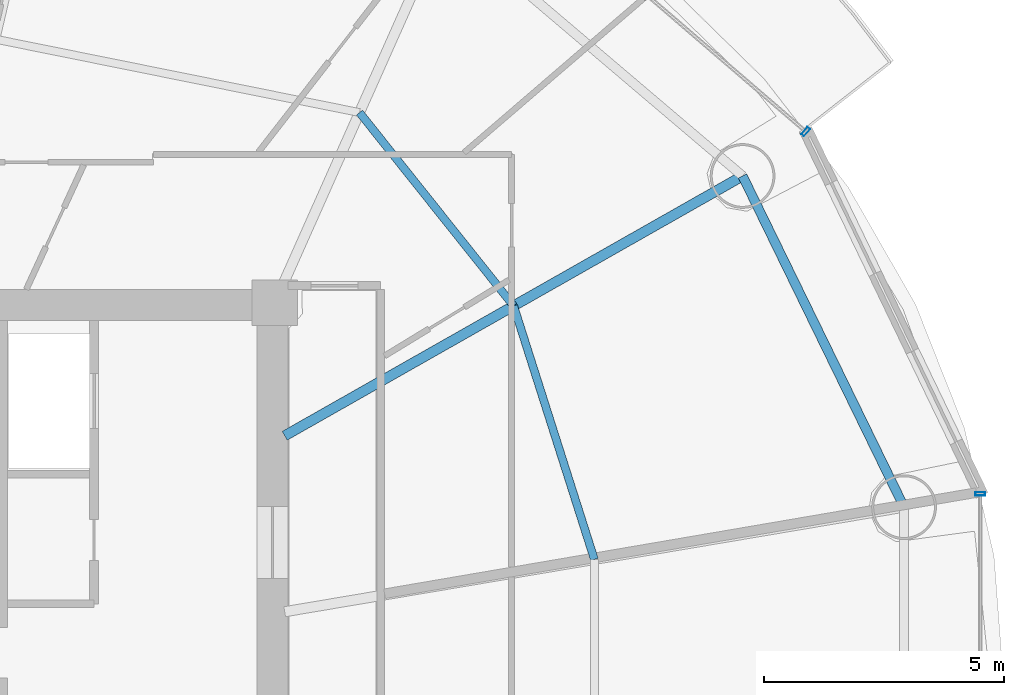
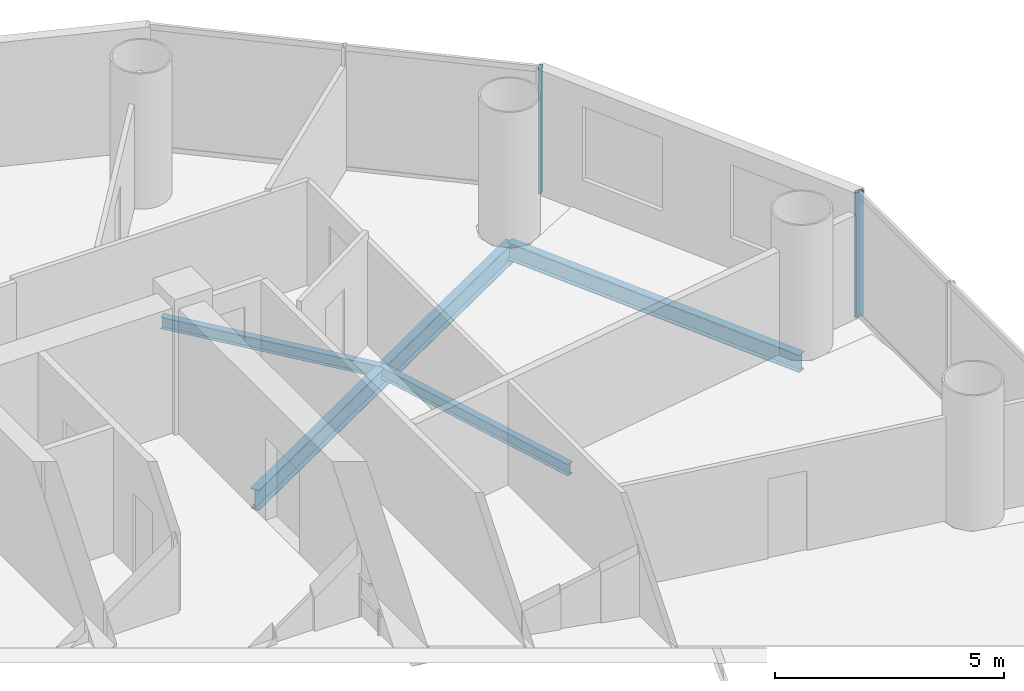
# One storey, part 13 of 26: 4 beams, 2 members, 2 elements without a shape of their own.
"""IFC4 building model written with IfcOpenShell, lengths in metres."""

from ifc_helpers import new_model, si_unit, direction, frame, origin, origin_2d, place, context, subcontext, project, spatial, hollow_rectangle, i_section, extrude, source, transform, mapped, material, material_profile, profile_set, type_object, element, aggregate, save


model = new_model("IFC4")

# Units and contexts
model_context = context("Model", 3, precision=1e-05, world=origin(), true_north=direction((-0.2419218956, 0.970295726276)))
body_context = subcontext(model_context, "Body", "Model", "MODEL_VIEW")
ifc_project = project(units=[si_unit("LENGTHUNIT", "METRE"), si_unit("AREAUNIT", "SQUARE_METRE"), si_unit("VOLUMEUNIT", "CUBIC_METRE"), si_unit("PLANEANGLEUNIT", "RADIAN"), si_unit("MASSUNIT", "GRAM", prefix="KILO")], contexts=[model_context])

# Site, building, storey
site_placement = place(None, origin())
site = spatial("IfcSite", under=ifc_project, at=site_placement, CompositionType="ELEMENT")
building_placement = place(site_placement, origin())
building = spatial("IfcBuilding", under=site, at=building_placement, Name="Cobrevalo Terracotta Tower", CompositionType="ELEMENT")
storey_placement = place(building_placement, frame((0.0, 0.0, 139.0)))
storey = spatial("IfcBuildingStorey", under=building, at=storey_placement, Name="L36", CompositionType="ELEMENT", Elevation=139.0)

# Beams
ifc_material_1 = material(Name="Steel S355", Category="steel")
ifc_material_profile_1 = material_profile(ifc_material_1, i_section(OverallWidth=0.2109375, OverallDepth=0.5390625, WebThickness=0.01171875, FlangeThickness=0.018798828125, at=origin_2d()), Name="W 530x109")
ifc_profile_set_1 = profile_set([ifc_material_profile_1], Name="Steel S355")
beam_type_1 = type_object("IfcBeamType", Name="Structural Beam W 530x109 (Steel S355)", PredefinedType="BEAM", material=ifc_profile_set_1)
beam_1_placement = place(storey_placement, frame((56.749755859375, 37.439208984375, -0.53955078125), z_axis=(-0.869734177783, -0.493520475762, 0.0), x_axis=(0.493520475762, -0.869734177783, 0.0)))
element("IfcBeam", 1, at=beam_1_placement, inside=storey, type_object=beam_type_1, Name="L36 radial floor girder 02", PredefinedType="BEAM", context=body_context, shape_type="SweptSolid", body=[
    extrude(i_section(OverallWidth=0.2109375, OverallDepth=0.5390625, WebThickness=0.01171875, FlangeThickness=0.018798828125, at=origin_2d()), origin(), (0.0, 0.0, 1.0), 10.974365234375),
])
ifc_material_profile_2 = material_profile(ifc_material_1, i_section(OverallWidth=0.1650390625, OverallDepth=0.31005859375, WebThickness=0.005859375, FlangeThickness=0.009765625, at=origin_2d()), Name="W 310x38.7")
ifc_profile_set_2 = profile_set([ifc_material_profile_2], Name="Steel S355")
beam_type_2 = type_object("IfcBeamType", Name="Structural Joist W 310x38.7 (Steel S355)", PredefinedType="JOIST", material=ifc_profile_set_2)
beam_2_placement = place(storey_placement, frame((53.660888671875, 29.445556640625, -0.425048828125), z_axis=(-0.303497928386, 0.952832098255, 0.0), x_axis=(-0.952832098255, -0.303497928386, 0.0)))
element("IfcBeam", 2, at=beam_2_placement, inside=storey, type_object=beam_type_2, Name="L36 circumferential secondary floor joist 01", PredefinedType="JOIST", context=body_context, shape_type="SweptSolid", body=[
    extrude(i_section(OverallWidth=0.1650390625, OverallDepth=0.31005859375, WebThickness=0.005859375, FlangeThickness=0.009765625, at=origin_2d()), origin(), (0.0, 0.0, 1.0), 5.54736328125),
])
beam_3_placement = place(storey_placement, frame((51.977294921875, 34.731201171875, -0.425048828125), z_axis=(-0.62340602772, 0.781898282773, 0.0), x_axis=(-0.781898282773, -0.62340602772, 0.0)))
element("IfcBeam", 3, at=beam_3_placement, inside=storey, type_object=beam_type_2, Name="L36 circumferential secondary floor joist 02", PredefinedType="JOIST", context=body_context, shape_type="SweptSolid", body=[
    extrude(i_section(OverallWidth=0.1650390625, OverallDepth=0.31005859375, WebThickness=0.005859375, FlangeThickness=0.009765625, at=origin_2d()), origin(), (0.0, 0.0, 1.0), 5.154052734375),
])
ifc_material_profile_3 = material_profile(ifc_material_1, i_section(OverallWidth=0.194091796875, OverallDepth=0.468994140625, WebThickness=0.011474609375, FlangeThickness=0.0205078125, at=origin_2d()), Name="W 460x106")
ifc_profile_set_3 = profile_set([ifc_material_profile_3], Name="Steel S355")
beam_type_3 = type_object("IfcBeamType", Name="Structural Spandrel W 460x106 (Steel S355)", PredefinedType="SPANDREL", material=ifc_profile_set_3)
beam_4_placement = place(storey_placement, frame((60.11669921875, 30.535888671875, -0.50439453125), z_axis=(-0.438367894028, 0.89879563277, 0.0), x_axis=(-0.89879563277, -0.438367894028, 0.0)))
element("IfcBeam", 4, at=beam_4_placement, inside=storey, type_object=beam_type_3, Name="L36 perimeter ring spandrel 01", PredefinedType="SPANDREL", context=body_context, shape_type="SweptSolid", body=[
    extrude(i_section(OverallWidth=0.194091796875, OverallDepth=0.468994140625, WebThickness=0.011474609375, FlangeThickness=0.0205078125, at=origin_2d()), origin(), (0.0, 0.0, 1.0), 7.6806640625),
])

# Curtain wall, member
ifc_material_2 = material(Name="Anodized aluminium", Category="aluminium")
curtain_wall_type = type_object("IfcCurtainWallType", Name="Mid-tower high-wind unitised curtain wall CW-U2", PredefinedType="NOTDEFINED", material=ifc_material_2)
curtain_wall_1_placement = place(storey_placement, origin())
curtain_wall_1 = element("IfcCurtainWall", 5, at=curtain_wall_1_placement, inside=storey, type_object=curtain_wall_type, Name="L36 curtain wall CW-L36-S02", PredefinedType="NOTDEFINED")
ifc_material_profile_4 = material_profile(ifc_material_2, hollow_rectangle(XDim=0.074951171875, YDim=0.199951171875, WallThickness=0.0048828125, at=origin_2d()), Name="CWM 75x200")
ifc_profile_set_4 = profile_set([ifc_material_profile_4], Name="Anodized aluminium")
member_type = type_object("IfcMemberType", Name="Lower/mid tower unitised mullion 75x200", PredefinedType="MULLION", material=ifc_profile_set_4)
shared_shape = source(origin(), body_context, "Body", "SweptSolid", [
    extrude(hollow_rectangle(XDim=0.074951171875, YDim=0.199951171875, WallThickness=0.0048828125, at=origin_2d()), origin(), (0.0, 0.0, 1.0), 3.330078125),
])
member_1_placement = place(storey_placement, frame((58.066162109375, 38.365234375, 0.0), z_axis=(0.0, 0.0, 1.0), x_axis=(-0.758441546142, 0.65174106905, 0.0)))
member_1 = element("IfcMember", 6, at=member_1_placement, type_object=member_type, Name="CW-L36-S02 vertical mullion 01", PredefinedType="MULLION", context=body_context, shape_type="MappedRepresentation", body=[
    mapped(shared_shape, transform((0.0, 0.0, 0.0), scale=1.0)),
])
aggregate(curtain_wall_1, [member_1])

curtain_wall_2_placement = place(storey_placement, origin())
curtain_wall_2 = element("IfcCurtainWall", 7, at=curtain_wall_2_placement, inside=storey, type_object=curtain_wall_type, Name="L36 curtain wall CW-L36-S16", PredefinedType="NOTDEFINED")
member_2_placement = place(storey_placement, frame((61.70556640625, 30.81201171875, 0.0), z_axis=(0.0, 0.0, 1.0), x_axis=(0.0, 1.0, 0.0)))
member_2 = element("IfcMember", 8, at=member_2_placement, type_object=member_type, Name="CW-L36-S16 vertical mullion 03", PredefinedType="MULLION", context=body_context, shape_type="MappedRepresentation", body=[
    mapped(shared_shape, transform((0.0, 0.0, 0.0), scale=1.0)),
])
aggregate(curtain_wall_2, [member_2])

save(model, "model.ifc")
